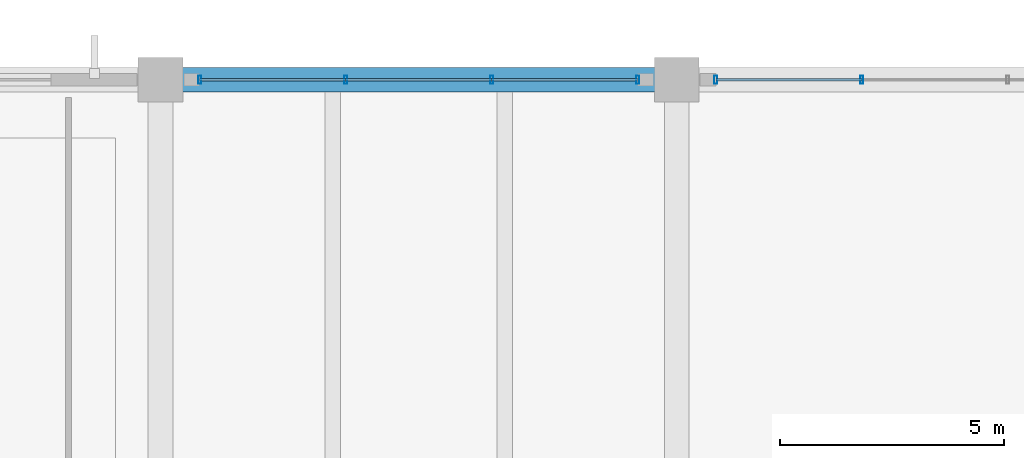
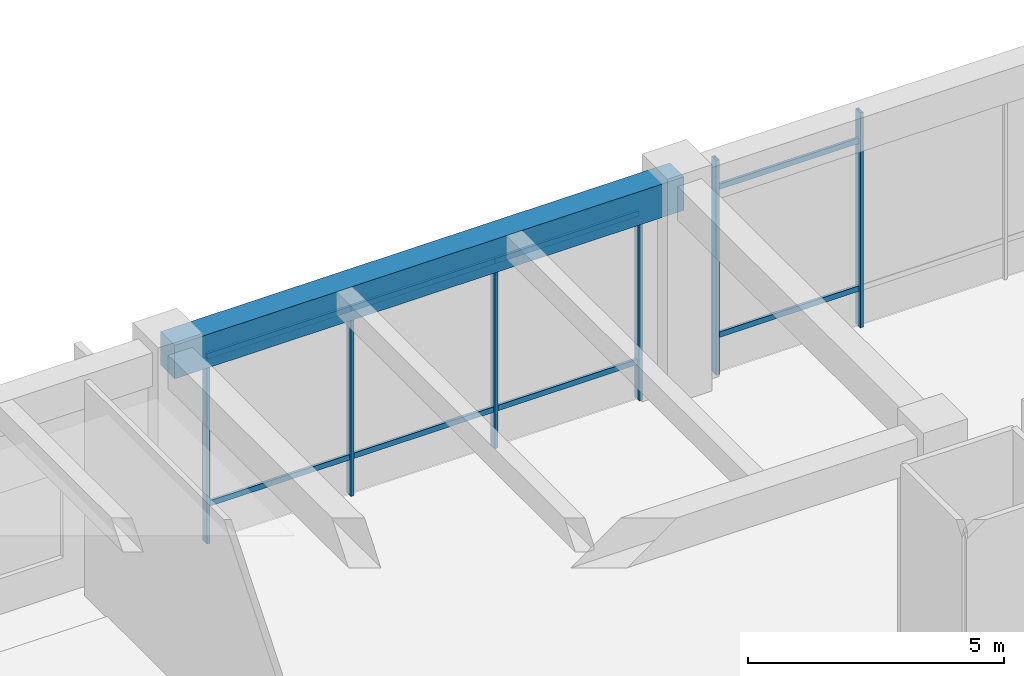
# One storey, part 110 of 148: 14 members, 1 beam, 2 elements without a shape of their own.
"""IFC4 building model written with IfcOpenShell, lengths in metres."""

from ifc_helpers import new_model, si_unit, direction, frame, origin, origin_2d, place, context, subcontext, project, spatial, rectangle, hollow_rectangle, extrude, material, material_profile, profile_set, type_object, element, aggregate, save


model = new_model("IFC4")

# Units and contexts
model_context = context("Model", 3, precision=1e-05, world=origin(), true_north=direction((0.0, 1.0)))
body_context = subcontext(model_context, "Body", "Model", "MODEL_VIEW")
ifc_project = project(units=[si_unit("LENGTHUNIT", "METRE"), si_unit("AREAUNIT", "SQUARE_METRE"), si_unit("VOLUMEUNIT", "CUBIC_METRE"), si_unit("PLANEANGLEUNIT", "RADIAN"), si_unit("MASSUNIT", "GRAM", prefix="KILO")], contexts=[model_context])

# Site, building, storey
site_placement = place(None, origin())
site = spatial("IfcSite", under=ifc_project, at=site_placement, CompositionType="ELEMENT")
building_placement = place(site_placement, origin())
building = spatial("IfcBuilding", under=site, at=building_placement, Name="Ologun Quay Terminus", CompositionType="ELEMENT")
storey_placement = place(building_placement, frame((0.0, 0.0, 8.39990234375)))
storey = spatial("IfcBuildingStorey", under=building, at=storey_placement, Name="L02", CompositionType="ELEMENT", Elevation=8.39990234375)

# Beam
ifc_material_1 = material(Name="Concrete C40/50", Category="concrete")
ifc_material_profile_1 = material_profile(ifc_material_1, rectangle(XDim=0.550048828125, YDim=0.800048828125, at=origin_2d()), Name="RC 550x800")
ifc_profile_set_1 = profile_set([ifc_material_profile_1], Name="Concrete C40/50")
beam_type = type_object("IfcBeamType", Name="Courtyard Wing Primary Girder 550x800", PredefinedType="BEAM", material=ifc_profile_set_1)
beam_placement = place(storey_placement, frame((126.5, 114.800048828125, 4.75), z_axis=(1.0, 0.0, 0.0), x_axis=(0.0, 1.0, 0.0)))
element("IfcBeam", 1, at=beam_placement, inside=storey, type_object=beam_type, Name="B4 Beam 12/K L02", PredefinedType="BEAM", context=body_context, shape_type="SweptSolid", body=[
    extrude(rectangle(XDim=0.550048828125, YDim=0.800048828125, at=origin_2d()), origin(), (0.0, 0.0, 1.0), 11.5),
])

# Curtain wall, members
ifc_material_2 = material(Name="Aluminium 6063-T6", Category="aluminium")
curtain_wall_type = type_object("IfcCurtainWallType", Name="Waterfront Pavilion Harbour Curtain Wall L02 10500x5000", PredefinedType="USERDEFINED", material=ifc_material_2)
curtain_wall_1_placement = place(storey_placement, origin())
curtain_wall_1 = element("IfcCurtainWall", 2, at=curtain_wall_1_placement, inside=storey, type_object=curtain_wall_type, Name="CW-24 Curtain Wall CW-L02-133", ObjectType="UNITISED CURTAIN WALL", PredefinedType="USERDEFINED")
ifc_material_3 = material(Name="Aluminium 6063-T6", Category="aluminium")
ifc_material_profile_2 = material_profile(ifc_material_3, hollow_rectangle(XDim=0.070068359375, YDim=0.179931640625, WallThickness=0.0048828125, at=origin_2d()), Name="ALU 180x70x5")
ifc_profile_set_2 = profile_set([ifc_material_profile_2], Name="Aluminium 6063-T6")
member_type_1 = type_object("IfcMemberType", Name="Curtain Wall Heavy Mullion 180x70", PredefinedType="MULLION", material=ifc_profile_set_2)
member_1_placement = place(storey_placement, frame((127.3701171875, 114.800048828125, 0.0), z_axis=(0.0, 0.0, 1.0), x_axis=(1.0, 0.0, 0.0)))
member_1 = element("IfcMember", 3, at=member_1_placement, type_object=member_type_1, Name="CW-L02-133 Mullion 1", PredefinedType="MULLION", context=body_context, shape_type="SweptSolid", body=[
    extrude(hollow_rectangle(XDim=0.070068359375, YDim=0.179931640625, WallThickness=0.0048828125, at=origin_2d()), origin(), (0.0, 0.0, 1.0), 5.130126953125),
])
member_2_placement = place(storey_placement, frame((130.623291015625, 114.800048828125, 0.0), z_axis=(0.0, 0.0, 1.0), x_axis=(1.0, 0.0, 0.0)))
member_2 = element("IfcMember", 4, at=member_2_placement, type_object=member_type_1, Name="CW-L02-133 Mullion 2", PredefinedType="MULLION", context=body_context, shape_type="SweptSolid", body=[
    extrude(hollow_rectangle(XDim=0.070068359375, YDim=0.179931640625, WallThickness=0.0048828125, at=origin_2d()), origin(), (0.0, 0.0, 1.0), 5.130126953125),
])
member_3_placement = place(storey_placement, frame((133.876708984375, 114.800048828125, 0.0), z_axis=(0.0, 0.0, 1.0), x_axis=(1.0, 0.0, 0.0)))
member_3 = element("IfcMember", 5, at=member_3_placement, type_object=member_type_1, Name="CW-L02-133 Mullion 3", PredefinedType="MULLION", context=body_context, shape_type="SweptSolid", body=[
    extrude(hollow_rectangle(XDim=0.070068359375, YDim=0.179931640625, WallThickness=0.0048828125, at=origin_2d()), origin(), (0.0, 0.0, 1.0), 5.130126953125),
])
member_4_placement = place(storey_placement, frame((137.1298828125, 114.800048828125, 0.0), z_axis=(0.0, 0.0, 1.0), x_axis=(1.0, 0.0, 0.0)))
member_4 = element("IfcMember", 6, at=member_4_placement, type_object=member_type_1, Name="CW-L02-133 Mullion 4", PredefinedType="MULLION", context=body_context, shape_type="SweptSolid", body=[
    extrude(hollow_rectangle(XDim=0.070068359375, YDim=0.179931640625, WallThickness=0.0048828125, at=origin_2d()), origin(), (0.0, 0.0, 1.0), 5.130126953125),
])

curtain_wall_2_placement = place(storey_placement, origin())
curtain_wall_2 = element("IfcCurtainWall", 7, at=curtain_wall_2_placement, inside=storey, type_object=curtain_wall_type, Name="CW-24 Curtain Wall CW-L02-134", ObjectType="UNITISED CURTAIN WALL", PredefinedType="USERDEFINED")
member_5_placement = place(storey_placement, frame((138.8701171875, 114.800048828125, 0.0), z_axis=(0.0, 0.0, 1.0), x_axis=(1.0, 0.0, 0.0)))
member_5 = element("IfcMember", 8, at=member_5_placement, type_object=member_type_1, Name="CW-L02-134 Mullion 1", PredefinedType="MULLION", context=body_context, shape_type="SweptSolid", body=[
    extrude(hollow_rectangle(XDim=0.070068359375, YDim=0.179931640625, WallThickness=0.0048828125, at=origin_2d()), origin(), (0.0, 0.0, 1.0), 5.130126953125),
])
member_6_placement = place(storey_placement, frame((142.123291015625, 114.800048828125, 0.0), z_axis=(0.0, 0.0, 1.0), x_axis=(1.0, 0.0, 0.0)))
member_6 = element("IfcMember", 9, at=member_6_placement, type_object=member_type_1, Name="CW-L02-134 Mullion 2", PredefinedType="MULLION", context=body_context, shape_type="SweptSolid", body=[
    extrude(hollow_rectangle(XDim=0.070068359375, YDim=0.179931640625, WallThickness=0.0048828125, at=origin_2d()), origin(), (0.0, 0.0, 1.0), 5.130126953125),
])

# Member
ifc_material_4 = material(Name="Aluminium 6063-T6", Category="aluminium")
ifc_material_profile_3 = material_profile(ifc_material_4, hollow_rectangle(XDim=0.06005859375, YDim=0.1298828125, WallThickness=0.00390625, at=origin_2d()), Name="ALU 130x60x4")
ifc_profile_set_3 = profile_set([ifc_material_profile_3], Name="Aluminium 6063-T6")
member_type_2 = type_object("IfcMemberType", Name="Curtain Wall Heavy Transom 130x60", PredefinedType="USERDEFINED", material=ifc_profile_set_3)
member_7_placement = place(storey_placement, frame((127.3701171875, 114.800048828125, 0.900146484375), z_axis=(1.0, 0.0, 0.0), x_axis=(0.0, 1.0, 0.0)))
member_7 = element("IfcMember", 10, at=member_7_placement, type_object=member_type_2, Name="CW-L02-133 Transom B1-1", ObjectType="TRANSOM", PredefinedType="USERDEFINED", context=body_context, shape_type="SweptSolid", body=[
    extrude(hollow_rectangle(XDim=0.06005859375, YDim=0.1298828125, WallThickness=0.00390625, at=origin_2d()), origin(), (0.0, 0.0, 1.0), 3.253173828125),
])

member_8_placement = place(storey_placement, frame((127.3701171875, 114.800048828125, 4.43017578125), z_axis=(1.0, 0.0, 0.0), x_axis=(0.0, 1.0, 0.0)))
member_8 = element("IfcMember", 11, at=member_8_placement, type_object=member_type_2, Name="CW-L02-133 Transom B1-2", ObjectType="TRANSOM", PredefinedType="USERDEFINED", context=body_context, shape_type="SweptSolid", body=[
    extrude(hollow_rectangle(XDim=0.06005859375, YDim=0.1298828125, WallThickness=0.00390625, at=origin_2d()), origin(), (0.0, 0.0, 1.0), 3.253173828125),
])

member_9_placement = place(storey_placement, frame((130.623291015625, 114.800048828125, 0.900146484375), z_axis=(1.0, 0.0, 0.0), x_axis=(0.0, 1.0, 0.0)))
member_9 = element("IfcMember", 12, at=member_9_placement, type_object=member_type_2, Name="CW-L02-133 Transom B2-1", ObjectType="TRANSOM", PredefinedType="USERDEFINED", context=body_context, shape_type="SweptSolid", body=[
    extrude(hollow_rectangle(XDim=0.06005859375, YDim=0.1298828125, WallThickness=0.00390625, at=origin_2d()), origin(), (0.0, 0.0, 1.0), 3.25341796875),
])

member_10_placement = place(storey_placement, frame((130.623291015625, 114.800048828125, 4.43017578125), z_axis=(1.0, 0.0, 0.0), x_axis=(0.0, 1.0, 0.0)))
member_10 = element("IfcMember", 13, at=member_10_placement, type_object=member_type_2, Name="CW-L02-133 Transom B2-2", ObjectType="TRANSOM", PredefinedType="USERDEFINED", context=body_context, shape_type="SweptSolid", body=[
    extrude(hollow_rectangle(XDim=0.06005859375, YDim=0.1298828125, WallThickness=0.00390625, at=origin_2d()), origin(), (0.0, 0.0, 1.0), 3.25341796875),
])

member_11_placement = place(storey_placement, frame((133.876708984375, 114.800048828125, 0.900146484375), z_axis=(1.0, 0.0, 0.0), x_axis=(0.0, 1.0, 0.0)))
member_11 = element("IfcMember", 14, at=member_11_placement, type_object=member_type_2, Name="CW-L02-133 Transom B3-1", ObjectType="TRANSOM", PredefinedType="USERDEFINED", context=body_context, shape_type="SweptSolid", body=[
    extrude(hollow_rectangle(XDim=0.06005859375, YDim=0.1298828125, WallThickness=0.00390625, at=origin_2d()), origin(), (0.0, 0.0, 1.0), 3.253173828125),
])

member_12_placement = place(storey_placement, frame((133.876708984375, 114.800048828125, 4.43017578125), z_axis=(1.0, 0.0, 0.0), x_axis=(0.0, 1.0, 0.0)))
member_12 = element("IfcMember", 15, at=member_12_placement, type_object=member_type_2, Name="CW-L02-133 Transom B3-2", ObjectType="TRANSOM", PredefinedType="USERDEFINED", context=body_context, shape_type="SweptSolid", body=[
    extrude(hollow_rectangle(XDim=0.06005859375, YDim=0.1298828125, WallThickness=0.00390625, at=origin_2d()), origin(), (0.0, 0.0, 1.0), 3.253173828125),
])

aggregate(curtain_wall_1, [member_1, member_2, member_3, member_4, member_7, member_8, member_9, member_10, member_11, member_12])

member_13_placement = place(storey_placement, frame((138.8701171875, 114.800048828125, 0.900146484375), z_axis=(1.0, 0.0, 0.0), x_axis=(0.0, 1.0, 0.0)))
member_13 = element("IfcMember", 16, at=member_13_placement, type_object=member_type_2, Name="CW-L02-134 Transom B1-1", ObjectType="TRANSOM", PredefinedType="USERDEFINED", context=body_context, shape_type="SweptSolid", body=[
    extrude(hollow_rectangle(XDim=0.06005859375, YDim=0.1298828125, WallThickness=0.00390625, at=origin_2d()), origin(), (0.0, 0.0, 1.0), 3.253173828125),
])

member_14_placement = place(storey_placement, frame((138.8701171875, 114.800048828125, 4.43017578125), z_axis=(1.0, 0.0, 0.0), x_axis=(0.0, 1.0, 0.0)))
member_14 = element("IfcMember", 17, at=member_14_placement, type_object=member_type_2, Name="CW-L02-134 Transom B1-2", ObjectType="TRANSOM", PredefinedType="USERDEFINED", context=body_context, shape_type="SweptSolid", body=[
    extrude(hollow_rectangle(XDim=0.06005859375, YDim=0.1298828125, WallThickness=0.00390625, at=origin_2d()), origin(), (0.0, 0.0, 1.0), 3.253173828125),
])

aggregate(curtain_wall_2, [member_5, member_6, member_13, member_14])

save(model, "model.ifc")
